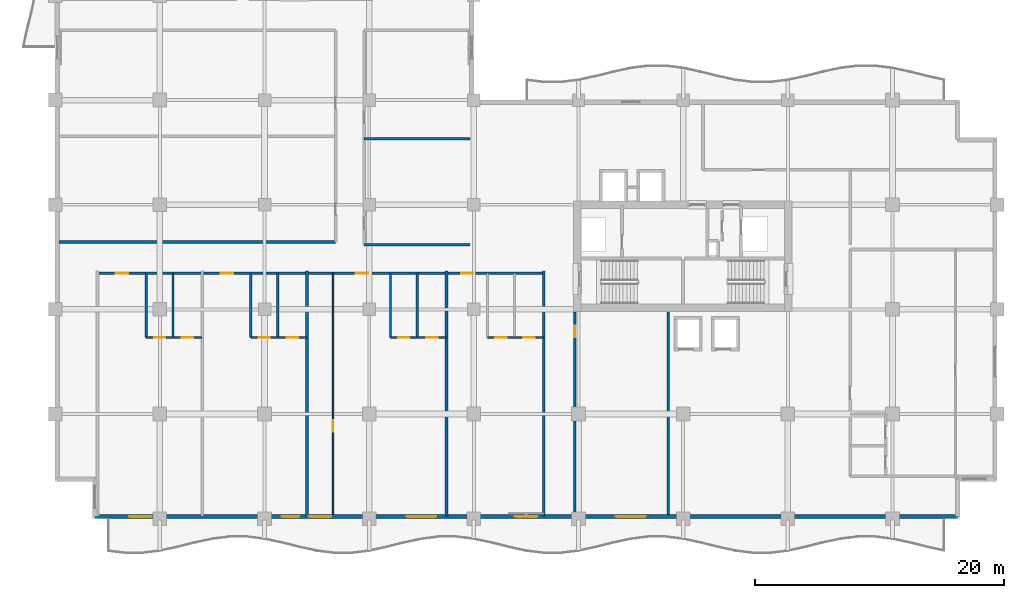
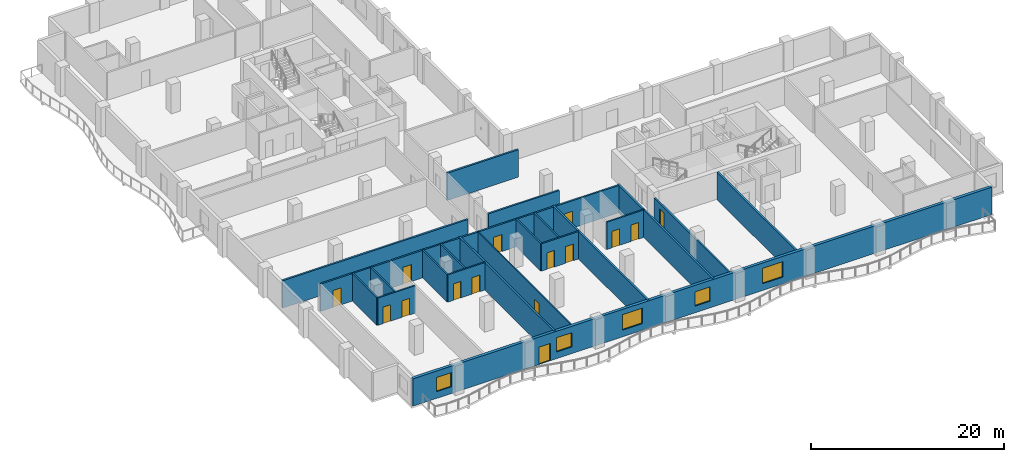
# One storey, part 4 of 14: 21 walls, 15 doors, 5 windows, 20 openings.
"""IFC4 building model written with IfcOpenShell, lengths in metres."""

from ifc_helpers import new_model, si_unit, direction, frame, frame_2d, origin, place, context, subcontext, project, spatial, rectangle, extrude, material, layer, layer_set, type_object, element, fill, save


model = new_model("IFC4")

# Units and contexts
model_context = context("Model", 3, precision=1e-05, world=origin(), true_north=direction((0.0, 1.0)))
body_context = subcontext(model_context, "Body", "Model", "MODEL_VIEW")
ifc_project = project(units=[si_unit("LENGTHUNIT", "METRE"), si_unit("AREAUNIT", "SQUARE_METRE"), si_unit("VOLUMEUNIT", "CUBIC_METRE"), si_unit("PLANEANGLEUNIT", "RADIAN"), si_unit("MASSUNIT", "GRAM", prefix="KILO")], contexts=[model_context])

# Site, building, storey
site_placement = place(None, origin())
site = spatial("IfcSite", under=ifc_project, at=site_placement, CompositionType="ELEMENT")
building_placement = place(site_placement, origin())
building = spatial("IfcBuilding", under=site, at=building_placement, Name="Koriwani Terraces Tower", CompositionType="ELEMENT")
storey_placement = place(building_placement, frame((0.0, 0.0, 208.699951171875)))
storey = spatial("IfcBuildingStorey", under=building, at=storey_placement, Name="L51", CompositionType="ELEMENT", Elevation=208.699951171875)

# Wall, opening, door
ifc_material_1 = material(Name="Autoclaved Cellular Concrete Blockwork", Category="masonry")
ifc_layer_1 = layer(ifc_material_1, 0.199951171875, Name="Autoclaved Cellular Concrete Blockwork")
ifc_layer_set_1 = layer_set([ifc_layer_1], Name="Autoclaved Cellular Concrete Blockwork")
wall_type_1 = type_object("IfcWallType", Name="WALL_CORRIDOR_200", PredefinedType="PARTITIONING", material=ifc_layer_set_1)
wall_1_placement = place(storey_placement, frame((41.699951171875, 0.35009765625, 0.0), z_axis=(0.0, 0.0, 1.0), x_axis=(0.0, 1.0, 0.0)))
wall_1 = element("IfcWall", 1, at=wall_1_placement, inside=storey, type_object=wall_type_1, Name="L51 Interior Wall WREC-EW-L51", PredefinedType="PARTITIONING", context=body_context, shape_type="SweptSolid", body=[
    extrude(rectangle(XDim=16.25, YDim=0.199951171875, at=frame_2d((8.125, 0.0))), origin(), (0.0, 0.0, 1.0), 2.820068359375),
])
opening_1_placement = place(wall_1_placement, frame((14.199951171875, 0.0, 0.0)))
opening_1 = element("IfcOpeningElement", 2, at=opening_1_placement, cuts=wall_1, Name="Opening D-06", PredefinedType="OPENING", context=body_context, shape_type="SweptSolid", body=[
    extrude(rectangle(XDim=0.919921875, YDim=2.10009765625, at=frame_2d((0.4599609375, 1.050048828125))), frame((0.0, 0.10986328125, 0.0), z_axis=(0.0, -1.0, 0.0), x_axis=(1.0, 0.0, 0.0)), (0.0, 0.0, 1.0), 0.219970703125),
])
ifc_material_2 = material(Name="Architectural Oak Fire Door", Category="wood")
door_type_1 = type_object("IfcDoorType", Name="DOOR_ROOM_INT_920X2100", OperationType="NOTDEFINED", PredefinedType="DOOR", material=ifc_material_2)
door_1_placement = place(opening_1_placement, origin())
door_1 = element("IfcDoor", 3, at=door_1_placement, inside=storey, type_object=door_type_1, Name="L51 Resident Co-Working Study Door", OperationType="SINGLE_SWING_RIGHT", OverallHeight=2.10009765625, OverallWidth=0.919921875, PredefinedType="DOOR", context=body_context, shape_type="SweptSolid", body=[
    extrude(rectangle(XDim=0.919921875, YDim=2.10009765625, at=frame_2d((0.4599609375, 1.050048828125))), frame((0.0, 0.02490234375, 0.0), z_axis=(0.0, -1.0, 0.0), x_axis=(1.0, 0.0, 0.0)), (0.0, 0.0, 1.0), 0.050048828125),
])
fill(opening_1, door_1)

# Wall
wall_2_placement = place(storey_placement, frame((24.800048828125, 22.0, 0.0), z_axis=(0.0, 0.0, 1.0), x_axis=(1.0, 0.0, 0.0)))
element("IfcWall", 4, at=wall_2_placement, inside=storey, type_object=wall_type_1, Name="L51 Interior Wall WIC2-S-L51", PredefinedType="PARTITIONING", context=body_context, shape_type="SweptSolid", body=[
    extrude(rectangle(XDim=8.5, YDim=0.199951171875, at=frame_2d((4.25, 0.0))), origin(), (0.0, 0.0, 1.0), 3.469970703125),
])

# Wall, openings, doors
wall_3_placement = place(storey_placement, frame((3.39990234375, 19.699951171875, 0.0), z_axis=(0.0, 0.0, 1.0), x_axis=(1.0, 0.0, 0.0)))
wall_3 = element("IfcWall", 5, at=wall_3_placement, inside=storey, type_object=wall_type_1, Name="L51 Interior Wall WRCOR-L51-SW-0", PredefinedType="PARTITIONING", context=body_context, shape_type="SweptSolid", body=[
    extrude(rectangle(XDim=35.800048828125, YDim=0.199951171875, at=frame_2d((17.89990234375, 0.0))), origin(), (0.0, 0.0, 1.0), 3.469970703125),
])
opening_2_placement = place(wall_3_placement, frame((1.469970703125, 0.0, 0.0)))
opening_2 = element("IfcOpeningElement", 6, at=opening_2_placement, cuts=wall_3, Name="Opening D-05", PredefinedType="OPENING", context=body_context, shape_type="SweptSolid", body=[
    extrude(rectangle(XDim=1.0, YDim=2.14990234375, at=frame_2d((0.5, 1.074951171875))), frame((0.0, 0.10986328125, 0.0), z_axis=(0.0, -1.0, 0.0), x_axis=(1.0, 0.0, 0.0)), (0.0, 0.0, 1.0), 0.219970703125),
])
opening_3_placement = place(wall_3_placement, frame((9.8701171875, 0.0, 0.0)))
opening_3 = element("IfcOpeningElement", 7, at=opening_3_placement, cuts=wall_3, Name="Opening D-05", PredefinedType="OPENING", context=body_context, shape_type="SweptSolid", body=[
    extrude(rectangle(XDim=1.0, YDim=2.14990234375, at=frame_2d((0.5, 1.074951171875))), frame((0.0, 0.10986328125, 0.0), z_axis=(0.0, -1.0, 0.0), x_axis=(1.0, 0.0, 0.0)), (0.0, 0.0, 1.0), 0.219970703125),
])
opening_4_placement = place(wall_3_placement, frame((20.719970703125, 0.0, 0.0)))
opening_4 = element("IfcOpeningElement", 8, at=opening_4_placement, cuts=wall_3, Name="Opening D-05", PredefinedType="OPENING", context=body_context, shape_type="SweptSolid", body=[
    extrude(rectangle(XDim=1.0, YDim=2.14990234375, at=frame_2d((0.5, 1.074951171875))), frame((0.0, 0.10986328125, 0.0), z_axis=(0.0, -1.0, 0.0), x_axis=(1.0, 0.0, 0.0)), (0.0, 0.0, 1.0), 0.219970703125),
])
opening_5_placement = place(wall_3_placement, frame((29.169921875, 0.0, 0.0)))
opening_5 = element("IfcOpeningElement", 9, at=opening_5_placement, cuts=wall_3, Name="Opening D-05", PredefinedType="OPENING", context=body_context, shape_type="SweptSolid", body=[
    extrude(rectangle(XDim=1.0, YDim=2.14990234375, at=frame_2d((0.5, 1.074951171875))), frame((0.0, 0.10986328125, 0.0), z_axis=(0.0, -1.0, 0.0), x_axis=(1.0, 0.0, 0.0)), (0.0, 0.0, 1.0), 0.219970703125),
])
door_type_2 = type_object("IfcDoorType", Name="DOOR_SUITE_ENTRY_1000X2150", OperationType="NOTDEFINED", PredefinedType="DOOR", material=ifc_material_2)
door_2_placement = place(opening_2_placement, origin())
door_2 = element("IfcDoor", 10, at=door_2_placement, inside=storey, type_object=door_type_2, Name="Apartment 51SW1 Entrance Door", OperationType="SINGLE_SWING_LEFT", OverallHeight=2.14990234375, OverallWidth=1.0, PredefinedType="DOOR", context=body_context, shape_type="SweptSolid", body=[
    extrude(rectangle(XDim=1.0, YDim=2.14990234375, at=frame_2d((0.5, 1.074951171875))), frame((0.0, 0.02490234375, 0.0), z_axis=(0.0, -1.0, 0.0), x_axis=(1.0, 0.0, 0.0)), (0.0, 0.0, 1.0), 0.050048828125),
])
fill(opening_2, door_2)
door_3_placement = place(opening_3_placement, origin())
door_3 = element("IfcDoor", 11, at=door_3_placement, inside=storey, type_object=door_type_2, Name="Apartment 51SW2 Entrance Door", OperationType="SINGLE_SWING_RIGHT", OverallHeight=2.14990234375, OverallWidth=1.0, PredefinedType="DOOR", context=body_context, shape_type="SweptSolid", body=[
    extrude(rectangle(XDim=1.0, YDim=2.14990234375, at=frame_2d((0.5, 1.074951171875))), frame((0.0, 0.02490234375, 0.0), z_axis=(0.0, -1.0, 0.0), x_axis=(1.0, 0.0, 0.0)), (0.0, 0.0, 1.0), 0.050048828125),
])
fill(opening_3, door_3)
door_4_placement = place(opening_4_placement, origin())
door_4 = element("IfcDoor", 12, at=door_4_placement, inside=storey, type_object=door_type_2, Name="Apartment 51SW3 Entrance Door", OperationType="SINGLE_SWING_LEFT", OverallHeight=2.14990234375, OverallWidth=1.0, PredefinedType="DOOR", context=body_context, shape_type="SweptSolid", body=[
    extrude(rectangle(XDim=1.0, YDim=2.14990234375, at=frame_2d((0.5, 1.074951171875))), frame((0.0, 0.02490234375, 0.0), z_axis=(0.0, -1.0, 0.0), x_axis=(1.0, 0.0, 0.0)), (0.0, 0.0, 1.0), 0.050048828125),
])
fill(opening_4, door_4)
door_5_placement = place(opening_5_placement, origin())
door_5 = element("IfcDoor", 13, at=door_5_placement, inside=storey, type_object=door_type_2, Name="Apartment 51SW4 Entrance Door", OperationType="SINGLE_SWING_LEFT", OverallHeight=2.14990234375, OverallWidth=1.0, PredefinedType="DOOR", context=body_context, shape_type="SweptSolid", body=[
    extrude(rectangle(XDim=1.0, YDim=2.14990234375, at=frame_2d((0.5, 1.074951171875))), frame((0.0, 0.02490234375, 0.0), z_axis=(0.0, -1.0, 0.0), x_axis=(1.0, 0.0, 0.0)), (0.0, 0.0, 1.0), 0.050048828125),
])
fill(opening_5, door_5)

# Walls
ifc_layer_2 = layer(ifc_material_1, 0.219970703125, Name="Autoclaved Cellular Concrete Blockwork")
ifc_layer_set_2 = layer_set([ifc_layer_2], Name="Autoclaved Cellular Concrete Blockwork")
wall_type_2 = type_object("IfcWallType", Name="WALL_DEMISING_220", PredefinedType="PARTITIONING", material=ifc_layer_set_2)
wall_4_placement = place(storey_placement, frame((49.199951171875, 0.35009765625, 0.0), z_axis=(0.0, 0.0, 1.0), x_axis=(0.0, 1.0, 0.0)))
element("IfcWall", 14, at=wall_4_placement, inside=storey, type_object=wall_type_2, Name="L51 Interior Wall WREC-EE-L51", PredefinedType="PARTITIONING", context=body_context, shape_type="SweptSolid", body=[
    extrude(rectangle(XDim=16.25, YDim=0.219970703125, at=frame_2d((8.125, 0.0))), origin(), (0.0, 0.0, 1.0), 3.469970703125),
])
wall_5_placement = place(storey_placement, frame((24.800048828125, 30.5, 0.0), z_axis=(0.0, 0.0, 1.0), x_axis=(1.0, 0.0, 0.0)))
element("IfcWall", 15, at=wall_5_placement, inside=storey, type_object=wall_type_2, Name="L51 Interior Wall WIC2-M-L51", PredefinedType="PARTITIONING", context=body_context, shape_type="SweptSolid", body=[
    extrude(rectangle(XDim=8.5, YDim=0.219970703125, at=frame_2d((4.25, 0.0))), origin(), (0.0, 0.0, 1.0), 3.469970703125),
])
for number, where, z_axis, x_axis, name in (
    (16, (20.199951171875, 0.199951171875, 0.0), (0.0, 0.0, 1.0), (0.0, 1.0, 0.0), "L51 Interior Wall WRDEM-L51-SW-2"),
    (17, (31.39990234375, 0.199951171875, 0.0), (0.0, 0.0, 1.0), (0.0, 1.0, 0.0), "L51 Interior Wall WRDEM-L51-SW-3"),
    (18, (39.199951171875, 0.199951171875, 0.0), (0.0, 0.0, 1.0), (0.0, 1.0, 0.0), "L51 Interior Wall WRDEME-L51-SW"),
):
    element("IfcWall", number, at=place(storey_placement, frame(where, z_axis=z_axis, x_axis=x_axis)), inside=storey, type_object=wall_type_2, Name=name, PredefinedType="PARTITIONING", context=body_context, shape_type="SweptSolid", body=[
        extrude(rectangle(XDim=19.679931640625, YDim=0.219970703125, at=frame_2d((9.83984375, 0.0))), origin(), (0.0, 0.0, 1.0), 3.469970703125),
    ])
wall_6_placement = place(storey_placement, frame((0.300048828125, 22.199951171875, 0.0), z_axis=(0.0, 0.0, 1.0), x_axis=(1.0, 0.0, 0.0)))
element("IfcWall", 19, at=wall_6_placement, inside=storey, type_object=wall_type_2, Name="L51 Interior Wall WNW3S-L51", PredefinedType="PARTITIONING", context=body_context, shape_type="SweptSolid", body=[
    extrude(rectangle(XDim=22.199951171875, YDim=0.219970703125, at=frame_2d((11.10009765625, 0.0))), origin(), (0.0, 0.0, 1.0), 3.469970703125),
])

# Wall, openings, door, windows
ifc_material_3 = material(Name="Concrete C50/60", Category="concrete")
ifc_layer_3 = layer(ifc_material_3, 0.35009765625, Name="Concrete C50/60")
ifc_layer_set_3 = layer_set([ifc_layer_3], Name="Concrete C50/60")
wall_type_3 = type_object("IfcWallType", Name="WALL_EXT_BRUTALIST_350", PredefinedType="STANDARD", material=ifc_layer_set_3)
wall_7_placement = place(storey_placement, frame((72.425048828125, 0.175048828125, 0.0), z_axis=(0.0, 0.0, 1.0), x_axis=(-1.0, 0.0, 0.0)))
wall_7 = element("IfcWall", 20, at=wall_7_placement, inside=storey, type_object=wall_type_3, Name="L51 Fair-Faced Brutalist Exterior Wall (S)", PredefinedType="STANDARD", context=body_context, shape_type="SweptSolid", body=[
    extrude(rectangle(XDim=69.25, YDim=0.35009765625, at=frame_2d((34.625, 0.0))), origin(), (0.0, 0.0, 1.0), 3.469970703125),
])
opening_6_placement = place(wall_7_placement, frame((52.824951171875, 0.0, 0.0)))
opening_6 = element("IfcOpeningElement", 21, at=opening_6_placement, cuts=wall_7, Name="Opening D-09", PredefinedType="OPENING", context=body_context, shape_type="SweptSolid", body=[
    extrude(rectangle(XDim=1.39990234375, YDim=2.199951171875, at=frame_2d((0.699951171875, 1.10009765625))), frame((0.0, 0.18505859375, 0.0), z_axis=(0.0, -1.0, 0.0), x_axis=(1.0, 0.0, 0.0)), (0.0, 0.0, 1.0), 0.3701171875),
])
opening_7_placement = place(wall_7_placement, frame((41.824951171875, 0.0, 0.85009765625)))
opening_7 = element("IfcOpeningElement", 22, at=opening_7_placement, cuts=wall_7, Name="Opening W-03", PredefinedType="OPENING", context=body_context, shape_type="SweptSolid", body=[
    extrude(rectangle(XDim=2.39990234375, YDim=1.949951171875, at=frame_2d((1.199951171875, 0.97509765625))), frame((0.0, 0.18505859375, 0.0), z_axis=(0.0, -1.0, 0.0), x_axis=(1.0, 0.0, 0.0)), (0.0, 0.0, 1.0), 0.3701171875),
])
opening_8_placement = place(wall_7_placement, frame((33.72509765625, 0.0, 0.85009765625)))
opening_8 = element("IfcOpeningElement", 23, at=opening_8_placement, cuts=wall_7, Name="Opening W-04", PredefinedType="OPENING", context=body_context, shape_type="SweptSolid", body=[
    extrude(rectangle(XDim=1.800048828125, YDim=1.800048828125, at=frame_2d((0.89990234375, 0.89990234375))), frame((0.0, 0.18505859375, 0.0), z_axis=(0.0, -1.0, 0.0), x_axis=(1.0, 0.0, 0.0)), (0.0, 0.0, 1.0), 0.3701171875),
])
opening_9_placement = place(wall_7_placement, frame((25.02490234375, 0.0, 0.85009765625)))
opening_9 = element("IfcOpeningElement", 24, at=opening_9_placement, cuts=wall_7, Name="Opening W-03", PredefinedType="OPENING", context=body_context, shape_type="SweptSolid", body=[
    extrude(rectangle(XDim=2.39990234375, YDim=1.949951171875, at=frame_2d((1.199951171875, 0.97509765625))), frame((0.0, 0.18505859375, 0.0), z_axis=(0.0, -1.0, 0.0), x_axis=(1.0, 0.0, 0.0)), (0.0, 0.0, 1.0), 0.3701171875),
])
opening_10_placement = place(wall_7_placement, frame((64.675048828125, 0.0, 0.85009765625)))
opening_10 = element("IfcOpeningElement", 25, at=opening_10_placement, cuts=wall_7, Name="Opening W-04", PredefinedType="OPENING", context=body_context, shape_type="SweptSolid", body=[
    extrude(rectangle(XDim=1.800048828125, YDim=1.800048828125, at=frame_2d((0.89990234375, 0.89990234375))), frame((0.0, 0.18505859375, 0.0), z_axis=(0.0, -1.0, 0.0), x_axis=(1.0, 0.0, 0.0)), (0.0, 0.0, 1.0), 0.3701171875),
])
opening_11_placement = place(wall_7_placement, frame((50.27490234375, 0.0, 0.85009765625)))
opening_11 = element("IfcOpeningElement", 26, at=opening_11_placement, cuts=wall_7, Name="Opening W-04", PredefinedType="OPENING", context=body_context, shape_type="SweptSolid", body=[
    extrude(rectangle(XDim=1.800048828125, YDim=1.800048828125, at=frame_2d((0.89990234375, 0.89990234375))), frame((0.0, 0.18505859375, 0.0), z_axis=(0.0, -1.0, 0.0), x_axis=(1.0, 0.0, 0.0)), (0.0, 0.0, 1.0), 0.3701171875),
])
ifc_material_4 = material(Name="Anodised Bronze Aluminium", Category="aluminium")
door_type_3 = type_object("IfcDoorType", Name="DOOR_BALCONY_GLAZED_1400X2200", OperationType="NOTDEFINED", PredefinedType="DOOR", material=ifc_material_4)
door_6_placement = place(opening_6_placement, origin())
door_6 = element("IfcDoor", 27, at=door_6_placement, inside=storey, type_object=door_type_3, Name="L51 South Balcony Glazed Door", OperationType="SINGLE_SWING_LEFT", OverallHeight=2.199951171875, OverallWidth=1.39990234375, PredefinedType="DOOR", context=body_context, shape_type="SweptSolid", body=[
    extrude(rectangle(XDim=1.39990234375, YDim=2.199951171875, at=frame_2d((0.699951171875, 1.10009765625))), frame((0.0, 0.02490234375, 0.0), z_axis=(0.0, -1.0, 0.0), x_axis=(1.0, 0.0, 0.0)), (0.0, 0.0, 1.0), 0.050048828125),
])
fill(opening_6, door_6)
ifc_material_5 = material(Name="Tempered Laminated Low-E Glass", Category="glass")
window_type_1 = type_object("IfcWindowType", Name="WIN_RES_BED_1800X1800", PartitioningType="DOUBLE_PANEL_VERTICAL", PredefinedType="WINDOW", material=ifc_material_5)
window_1_placement = place(opening_8_placement, origin())
window_1 = element("IfcWindow", 28, at=window_1_placement, inside=storey, type_object=window_type_1, Name="L51 Exterior Window (S-12)", OverallHeight=1.800048828125, OverallWidth=1.800048828125, PartitioningType="SINGLE_PANEL", PredefinedType="WINDOW", context=body_context, shape_type="SweptSolid", body=[
    extrude(rectangle(XDim=1.800048828125, YDim=1.800048828125, at=frame_2d((0.89990234375, 0.89990234375))), frame((0.0, 0.030029296875, 0.0), z_axis=(0.0, -1.0, 0.0), x_axis=(1.0, 0.0, 0.0)), (0.0, 0.0, 1.0), 0.06005859375),
])
fill(opening_8, window_1)
window_2_placement = place(opening_10_placement, origin())
window_2 = element("IfcWindow", 29, at=window_2_placement, inside=storey, type_object=window_type_1, Name="L51 Exterior Window (S-R33)", OverallHeight=1.800048828125, OverallWidth=1.800048828125, PartitioningType="SINGLE_PANEL", PredefinedType="WINDOW", context=body_context, shape_type="SweptSolid", body=[
    extrude(rectangle(XDim=1.800048828125, YDim=1.800048828125, at=frame_2d((0.89990234375, 0.89990234375))), frame((0.0, 0.030029296875, 0.0), z_axis=(0.0, -1.0, 0.0), x_axis=(1.0, 0.0, 0.0)), (0.0, 0.0, 1.0), 0.06005859375),
])
fill(opening_10, window_2)
window_3_placement = place(opening_11_placement, origin())
window_3 = element("IfcWindow", 30, at=window_3_placement, inside=storey, type_object=window_type_1, Name="L51 Exterior Window (S-R39)", OverallHeight=1.800048828125, OverallWidth=1.800048828125, PartitioningType="SINGLE_PANEL", PredefinedType="WINDOW", context=body_context, shape_type="SweptSolid", body=[
    extrude(rectangle(XDim=1.800048828125, YDim=1.800048828125, at=frame_2d((0.89990234375, 0.89990234375))), frame((0.0, 0.030029296875, 0.0), z_axis=(0.0, -1.0, 0.0), x_axis=(1.0, 0.0, 0.0)), (0.0, 0.0, 1.0), 0.06005859375),
])
fill(opening_11, window_3)
window_type_2 = type_object("IfcWindowType", Name="WIN_RES_LIVING_2400X1950", PartitioningType="DOUBLE_PANEL_VERTICAL", PredefinedType="WINDOW", material=ifc_material_5)
window_4_placement = place(opening_7_placement, origin())
window_4 = element("IfcWindow", 31, at=window_4_placement, inside=storey, type_object=window_type_2, Name="L51 Exterior Window (S-9)", OverallHeight=1.949951171875, OverallWidth=2.39990234375, PartitioningType="SINGLE_PANEL", PredefinedType="WINDOW", context=body_context, shape_type="SweptSolid", body=[
    extrude(rectangle(XDim=2.39990234375, YDim=1.949951171875, at=frame_2d((1.199951171875, 0.97509765625))), frame((0.0, 0.030029296875, 0.0), z_axis=(0.0, -1.0, 0.0), x_axis=(1.0, 0.0, 0.0)), (0.0, 0.0, 1.0), 0.06005859375),
])
fill(opening_7, window_4)
window_5_placement = place(opening_9_placement, origin())
window_5 = element("IfcWindow", 32, at=window_5_placement, inside=storey, type_object=window_type_2, Name="L51 Exterior Window (S-15)", OverallHeight=1.949951171875, OverallWidth=2.39990234375, PartitioningType="SINGLE_PANEL", PredefinedType="WINDOW", context=body_context, shape_type="SweptSolid", body=[
    extrude(rectangle(XDim=2.39990234375, YDim=1.949951171875, at=frame_2d((1.199951171875, 0.97509765625))), frame((0.0, 0.030029296875, 0.0), z_axis=(0.0, -1.0, 0.0), x_axis=(1.0, 0.0, 0.0)), (0.0, 0.0, 1.0), 0.06005859375),
])
fill(opening_9, window_5)

# Wall, opening, door
ifc_material_6 = material(Name="Fire-Rated Acoustic Gypsum Partition", Category="masonry")
ifc_layer_4 = layer(ifc_material_6, 0.125, Name="Fire-Rated Acoustic Gypsum Partition")
ifc_layer_set_4 = layer_set([ifc_layer_4], Name="Fire-Rated Acoustic Gypsum Partition")
wall_type_4 = type_object("IfcWallType", Name="WALL_INT_125", PredefinedType="PARTITIONING", material=ifc_layer_set_4)
wall_8_placement = place(storey_placement, frame((22.300048828125, 0.35009765625, 0.0), z_axis=(0.0, 0.0, 1.0), x_axis=(0.0, 1.0, 0.0)))
wall_8 = element("IfcWall", 33, at=wall_8_placement, inside=storey, type_object=wall_type_4, Name="L51 Interior Wall WRBED1-L51-SW-2", PredefinedType="PARTITIONING", context=body_context, shape_type="SweptSolid", body=[
    extrude(rectangle(XDim=19.349853515625, YDim=0.125, at=frame_2d((9.6748046875, 0.0))), origin(), (0.0, 0.0, 1.0), 3.469970703125),
])
opening_12_placement = place(wall_8_placement, frame((6.639892578125, 0.0, 0.0)))
opening_12 = element("IfcOpeningElement", 34, at=opening_12_placement, cuts=wall_8, Name="Opening D-06", PredefinedType="OPENING", context=body_context, shape_type="SweptSolid", body=[
    extrude(rectangle(XDim=0.919921875, YDim=2.10009765625, at=frame_2d((0.4599609375, 1.050048828125))), frame((0.0, 0.072509765625, 0.0), z_axis=(0.0, -1.0, 0.0), x_axis=(1.0, 0.0, 0.0)), (0.0, 0.0, 1.0), 0.14501953125),
])
door_7_placement = place(opening_12_placement, origin())
door_7 = element("IfcDoor", 35, at=door_7_placement, inside=storey, type_object=door_type_1, Name="Apartment 51SW3 Master Bedroom Door", OperationType="SINGLE_SWING_RIGHT", OverallHeight=2.10009765625, OverallWidth=0.919921875, PredefinedType="DOOR", context=body_context, shape_type="SweptSolid", body=[
    extrude(rectangle(XDim=0.919921875, YDim=2.10009765625, at=frame_2d((0.4599609375, 1.050048828125))), frame((0.0, 0.02490234375, 0.0), z_axis=(0.0, -1.0, 0.0), x_axis=(1.0, 0.0, 0.0)), (0.0, 0.0, 1.0), 0.050048828125),
])
fill(opening_12, door_7)

# Wall, openings, doors
ifc_layer_5 = layer(ifc_material_6, 0.179931640625, Name="Fire-Rated Acoustic Gypsum Partition")
ifc_layer_set_5 = layer_set([ifc_layer_5], Name="Fire-Rated Acoustic Gypsum Partition")
wall_type_5 = type_object("IfcWallType", Name="WALL_PLUMBING_180", PredefinedType="PLUMBINGWALL", material=ifc_layer_set_5)
wall_9_placement = place(storey_placement, frame((7.300048828125, 14.550048828125, 0.0), z_axis=(0.0, 0.0, 1.0), x_axis=(1.0, 0.0, 0.0)))
wall_9 = element("IfcWall", 36, at=wall_9_placement, inside=storey, type_object=wall_type_5, Name="L51 Interior Wall WRSVC-L51-SW-0", PredefinedType="PLUMBINGWALL", context=body_context, shape_type="SweptSolid", body=[
    extrude(rectangle(XDim=4.5, YDim=0.179931640625, at=frame_2d((2.25, 0.0))), origin(), (0.0, 0.0, 1.0), 3.469970703125),
])
opening_13_placement = place(wall_9_placement, frame((0.6298828125, 0.0, 0.0)))
opening_13 = element("IfcOpeningElement", 37, at=opening_13_placement, cuts=wall_9, Name="Opening D-07", PredefinedType="OPENING", context=body_context, shape_type="SweptSolid", body=[
    extrude(rectangle(XDim=0.89990234375, YDim=2.10009765625, at=frame_2d((0.449951171875, 1.050048828125))), frame((0.0, 0.10009765625, 0.0), z_axis=(0.0, -1.0, 0.0), x_axis=(1.0, 0.0, 0.0)), (0.0, 0.0, 1.0), 0.199951171875),
])
opening_14_placement = place(wall_9_placement, frame((2.8701171875, 0.0, 0.0)))
opening_14 = element("IfcOpeningElement", 38, at=opening_14_placement, cuts=wall_9, Name="Opening D-06", PredefinedType="OPENING", context=body_context, shape_type="SweptSolid", body=[
    extrude(rectangle(XDim=0.919921875, YDim=2.10009765625, at=frame_2d((0.4599609375, 1.050048828125))), frame((0.0, 0.10009765625, 0.0), z_axis=(0.0, -1.0, 0.0), x_axis=(1.0, 0.0, 0.0)), (0.0, 0.0, 1.0), 0.199951171875),
])
door_type_4 = type_object("IfcDoorType", Name="DOOR_BATH_INT_900X2100", OperationType="NOTDEFINED", PredefinedType="DOOR", material=ifc_material_2)
door_8_placement = place(opening_13_placement, origin())
door_8 = element("IfcDoor", 39, at=door_8_placement, inside=storey, type_object=door_type_4, Name="Apartment 51SW1 Bathroom Door", OperationType="SINGLE_SWING_RIGHT", OverallHeight=2.10009765625, OverallWidth=0.89990234375, PredefinedType="DOOR", context=body_context, shape_type="SweptSolid", body=[
    extrude(rectangle(XDim=0.89990234375, YDim=2.10009765625, at=frame_2d((0.449951171875, 1.050048828125))), frame((0.0, 0.02490234375, 0.0), z_axis=(0.0, -1.0, 0.0), x_axis=(1.0, 0.0, 0.0)), (0.0, 0.0, 1.0), 0.050048828125),
])
fill(opening_13, door_8)
door_9_placement = place(opening_14_placement, origin())
door_9 = element("IfcDoor", 40, at=door_9_placement, inside=storey, type_object=door_type_1, Name="Apartment 51SW1 Kitchen Door", OperationType="SINGLE_SWING_LEFT", OverallHeight=2.10009765625, OverallWidth=0.919921875, PredefinedType="DOOR", context=body_context, shape_type="SweptSolid", body=[
    extrude(rectangle(XDim=0.919921875, YDim=2.10009765625, at=frame_2d((0.4599609375, 1.050048828125))), frame((0.0, 0.02490234375, 0.0), z_axis=(0.0, -1.0, 0.0), x_axis=(1.0, 0.0, 0.0)), (0.0, 0.0, 1.0), 0.050048828125),
])
fill(opening_14, door_9)

# Walls
for number, where, z_axis, x_axis, name in (
    (41, (7.300048828125, 14.550048828125, 0.0), (0.0, 0.0, 1.0), (0.0, 1.0, 0.0), "L51 Interior Wall WRSVCS-L51-SW-0"),
    (42, (9.4599609375, 14.550048828125, 0.0), (0.0, 0.0, 1.0), (0.0, 1.0, 0.0), "L51 Interior Wall WRSVCM-L51-SW-0"),
):
    element("IfcWall", number, at=place(storey_placement, frame(where, z_axis=z_axis, x_axis=x_axis)), inside=storey, type_object=wall_type_5, Name=name, PredefinedType="PLUMBINGWALL", context=body_context, shape_type="SweptSolid", body=[
        extrude(rectangle(XDim=5.14990234375, YDim=0.179931640625, at=frame_2d((2.574951171875, 0.0))), origin(), (0.0, 0.0, 1.0), 3.469970703125),
    ])

# Wall, openings, doors
wall_10_placement = place(storey_placement, frame((15.699951171875, 14.550048828125, 0.0), z_axis=(0.0, 0.0, 1.0), x_axis=(1.0, 0.0, 0.0)))
wall_10 = element("IfcWall", 43, at=wall_10_placement, inside=storey, type_object=wall_type_5, Name="L51 Interior Wall WRSVC-L51-SW-1", PredefinedType="PLUMBINGWALL", context=body_context, shape_type="SweptSolid", body=[
    extrude(rectangle(XDim=4.5, YDim=0.179931640625, at=frame_2d((2.25, 0.0))), origin(), (0.0, 0.0, 1.0), 3.469970703125),
])
opening_15_placement = place(wall_10_placement, frame((0.6298828125, 0.0, 0.0)))
opening_15 = element("IfcOpeningElement", 44, at=opening_15_placement, cuts=wall_10, Name="Opening D-07", PredefinedType="OPENING", context=body_context, shape_type="SweptSolid", body=[
    extrude(rectangle(XDim=0.89990234375, YDim=2.10009765625, at=frame_2d((0.449951171875, 1.050048828125))), frame((0.0, 0.10009765625, 0.0), z_axis=(0.0, -1.0, 0.0), x_axis=(1.0, 0.0, 0.0)), (0.0, 0.0, 1.0), 0.199951171875),
])
opening_16_placement = place(wall_10_placement, frame((2.8701171875, 0.0, 0.0)))
opening_16 = element("IfcOpeningElement", 45, at=opening_16_placement, cuts=wall_10, Name="Opening D-06", PredefinedType="OPENING", context=body_context, shape_type="SweptSolid", body=[
    extrude(rectangle(XDim=0.919921875, YDim=2.10009765625, at=frame_2d((0.4599609375, 1.050048828125))), frame((0.0, 0.10009765625, 0.0), z_axis=(0.0, -1.0, 0.0), x_axis=(1.0, 0.0, 0.0)), (0.0, 0.0, 1.0), 0.199951171875),
])
door_10_placement = place(opening_15_placement, origin())
door_10 = element("IfcDoor", 46, at=door_10_placement, inside=storey, type_object=door_type_4, Name="Apartment 51SW2 Bathroom Door", OperationType="SINGLE_SWING_LEFT", OverallHeight=2.10009765625, OverallWidth=0.89990234375, PredefinedType="DOOR", context=body_context, shape_type="SweptSolid", body=[
    extrude(rectangle(XDim=0.89990234375, YDim=2.10009765625, at=frame_2d((0.449951171875, 1.050048828125))), frame((0.0, 0.02490234375, 0.0), z_axis=(0.0, -1.0, 0.0), x_axis=(1.0, 0.0, 0.0)), (0.0, 0.0, 1.0), 0.050048828125),
])
fill(opening_15, door_10)
door_11_placement = place(opening_16_placement, origin())
door_11 = element("IfcDoor", 47, at=door_11_placement, inside=storey, type_object=door_type_1, Name="Apartment 51SW2 Kitchen Door", OperationType="SINGLE_SWING_RIGHT", OverallHeight=2.10009765625, OverallWidth=0.919921875, PredefinedType="DOOR", context=body_context, shape_type="SweptSolid", body=[
    extrude(rectangle(XDim=0.919921875, YDim=2.10009765625, at=frame_2d((0.4599609375, 1.050048828125))), frame((0.0, 0.02490234375, 0.0), z_axis=(0.0, -1.0, 0.0), x_axis=(1.0, 0.0, 0.0)), (0.0, 0.0, 1.0), 0.050048828125),
])
fill(opening_16, door_11)

# Walls
for number, where, z_axis, x_axis, name in (
    (48, (15.699951171875, 14.550048828125, 0.0), (0.0, 0.0, 1.0), (0.0, 1.0, 0.0), "L51 Interior Wall WRSVCS-L51-SW-1"),
    (49, (17.860107421875, 14.550048828125, 0.0), (0.0, 0.0, 1.0), (0.0, 1.0, 0.0), "L51 Interior Wall WRSVCM-L51-SW-1"),
):
    element("IfcWall", number, at=place(storey_placement, frame(where, z_axis=z_axis, x_axis=x_axis)), inside=storey, type_object=wall_type_5, Name=name, PredefinedType="PLUMBINGWALL", context=body_context, shape_type="SweptSolid", body=[
        extrude(rectangle(XDim=5.14990234375, YDim=0.179931640625, at=frame_2d((2.574951171875, 0.0))), origin(), (0.0, 0.0, 1.0), 3.469970703125),
    ])

# Wall, openings, doors
wall_11_placement = place(storey_placement, frame((26.89990234375, 14.550048828125, 0.0), z_axis=(0.0, 0.0, 1.0), x_axis=(1.0, 0.0, 0.0)))
wall_11 = element("IfcWall", 50, at=wall_11_placement, inside=storey, type_object=wall_type_5, Name="L51 Interior Wall WRSVC-L51-SW-2", PredefinedType="PLUMBINGWALL", context=body_context, shape_type="SweptSolid", body=[
    extrude(rectangle(XDim=4.5, YDim=0.179931640625, at=frame_2d((2.25, 0.0))), origin(), (0.0, 0.0, 1.0), 3.469970703125),
])
opening_17_placement = place(wall_11_placement, frame((0.6298828125, 0.0, 0.0)))
opening_17 = element("IfcOpeningElement", 51, at=opening_17_placement, cuts=wall_11, Name="Opening D-07", PredefinedType="OPENING", context=body_context, shape_type="SweptSolid", body=[
    extrude(rectangle(XDim=0.89990234375, YDim=2.10009765625, at=frame_2d((0.449951171875, 1.050048828125))), frame((0.0, 0.10009765625, 0.0), z_axis=(0.0, -1.0, 0.0), x_axis=(1.0, 0.0, 0.0)), (0.0, 0.0, 1.0), 0.199951171875),
])
opening_18_placement = place(wall_11_placement, frame((2.8701171875, 0.0, 0.0)))
opening_18 = element("IfcOpeningElement", 52, at=opening_18_placement, cuts=wall_11, Name="Opening D-06", PredefinedType="OPENING", context=body_context, shape_type="SweptSolid", body=[
    extrude(rectangle(XDim=0.919921875, YDim=2.10009765625, at=frame_2d((0.4599609375, 1.050048828125))), frame((0.0, 0.10009765625, 0.0), z_axis=(0.0, -1.0, 0.0), x_axis=(1.0, 0.0, 0.0)), (0.0, 0.0, 1.0), 0.199951171875),
])
door_12_placement = place(opening_17_placement, origin())
door_12 = element("IfcDoor", 53, at=door_12_placement, inside=storey, type_object=door_type_4, Name="Apartment 51SW3 Bathroom Door", OperationType="SINGLE_SWING_RIGHT", OverallHeight=2.10009765625, OverallWidth=0.89990234375, PredefinedType="DOOR", context=body_context, shape_type="SweptSolid", body=[
    extrude(rectangle(XDim=0.89990234375, YDim=2.10009765625, at=frame_2d((0.449951171875, 1.050048828125))), frame((0.0, 0.02490234375, 0.0), z_axis=(0.0, -1.0, 0.0), x_axis=(1.0, 0.0, 0.0)), (0.0, 0.0, 1.0), 0.050048828125),
])
fill(opening_17, door_12)
door_13_placement = place(opening_18_placement, origin())
door_13 = element("IfcDoor", 54, at=door_13_placement, inside=storey, type_object=door_type_1, Name="Apartment 51SW3 Kitchen Door", OperationType="SINGLE_SWING_LEFT", OverallHeight=2.10009765625, OverallWidth=0.919921875, PredefinedType="DOOR", context=body_context, shape_type="SweptSolid", body=[
    extrude(rectangle(XDim=0.919921875, YDim=2.10009765625, at=frame_2d((0.4599609375, 1.050048828125))), frame((0.0, 0.02490234375, 0.0), z_axis=(0.0, -1.0, 0.0), x_axis=(1.0, 0.0, 0.0)), (0.0, 0.0, 1.0), 0.050048828125),
])
fill(opening_18, door_13)

# Walls
for number, where, z_axis, x_axis, name in (
    (55, (26.89990234375, 14.550048828125, 0.0), (0.0, 0.0, 1.0), (0.0, 1.0, 0.0), "L51 Interior Wall WRSVCS-L51-SW-2"),
    (56, (29.06005859375, 14.550048828125, 0.0), (0.0, 0.0, 1.0), (0.0, 1.0, 0.0), "L51 Interior Wall WRSVCM-L51-SW-2"),
):
    element("IfcWall", number, at=place(storey_placement, frame(where, z_axis=z_axis, x_axis=x_axis)), inside=storey, type_object=wall_type_5, Name=name, PredefinedType="PLUMBINGWALL", context=body_context, shape_type="SweptSolid", body=[
        extrude(rectangle(XDim=5.14990234375, YDim=0.179931640625, at=frame_2d((2.574951171875, 0.0))), origin(), (0.0, 0.0, 1.0), 3.469970703125),
    ])

# Wall, openings, doors
wall_12_placement = place(storey_placement, frame((34.699951171875, 14.550048828125, 0.0), z_axis=(0.0, 0.0, 1.0), x_axis=(1.0, 0.0, 0.0)))
wall_12 = element("IfcWall", 57, at=wall_12_placement, inside=storey, type_object=wall_type_5, Name="L51 Interior Wall WRSVC-L51-SW-3", PredefinedType="PLUMBINGWALL", context=body_context, shape_type="SweptSolid", body=[
    extrude(rectangle(XDim=4.5, YDim=0.179931640625, at=frame_2d((2.25, 0.0))), origin(), (0.0, 0.0, 1.0), 3.469970703125),
])
opening_19_placement = place(wall_12_placement, frame((0.6298828125, 0.0, 0.0)))
opening_19 = element("IfcOpeningElement", 58, at=opening_19_placement, cuts=wall_12, Name="Opening D-07", PredefinedType="OPENING", context=body_context, shape_type="SweptSolid", body=[
    extrude(rectangle(XDim=0.89990234375, YDim=2.10009765625, at=frame_2d((0.449951171875, 1.050048828125))), frame((0.0, 0.10009765625, 0.0), z_axis=(0.0, -1.0, 0.0), x_axis=(1.0, 0.0, 0.0)), (0.0, 0.0, 1.0), 0.199951171875),
])
opening_20_placement = place(wall_12_placement, frame((2.8701171875, 0.0, 0.0)))
opening_20 = element("IfcOpeningElement", 59, at=opening_20_placement, cuts=wall_12, Name="Opening D-06", PredefinedType="OPENING", context=body_context, shape_type="SweptSolid", body=[
    extrude(rectangle(XDim=0.919921875, YDim=2.10009765625, at=frame_2d((0.4599609375, 1.050048828125))), frame((0.0, 0.10009765625, 0.0), z_axis=(0.0, -1.0, 0.0), x_axis=(1.0, 0.0, 0.0)), (0.0, 0.0, 1.0), 0.199951171875),
])
door_14_placement = place(opening_19_placement, origin())
door_14 = element("IfcDoor", 60, at=door_14_placement, inside=storey, type_object=door_type_4, Name="Apartment 51SW4 Bathroom Door", OperationType="SINGLE_SWING_RIGHT", OverallHeight=2.10009765625, OverallWidth=0.89990234375, PredefinedType="DOOR", context=body_context, shape_type="SweptSolid", body=[
    extrude(rectangle(XDim=0.89990234375, YDim=2.10009765625, at=frame_2d((0.449951171875, 1.050048828125))), frame((0.0, 0.02490234375, 0.0), z_axis=(0.0, -1.0, 0.0), x_axis=(1.0, 0.0, 0.0)), (0.0, 0.0, 1.0), 0.050048828125),
])
fill(opening_19, door_14)
door_15_placement = place(opening_20_placement, origin())
door_15 = element("IfcDoor", 61, at=door_15_placement, inside=storey, type_object=door_type_1, Name="Apartment 51SW4 Kitchen Door", OperationType="SINGLE_SWING_LEFT", OverallHeight=2.10009765625, OverallWidth=0.919921875, PredefinedType="DOOR", context=body_context, shape_type="SweptSolid", body=[
    extrude(rectangle(XDim=0.919921875, YDim=2.10009765625, at=frame_2d((0.4599609375, 1.050048828125))), frame((0.0, 0.02490234375, 0.0), z_axis=(0.0, -1.0, 0.0), x_axis=(1.0, 0.0, 0.0)), (0.0, 0.0, 1.0), 0.050048828125),
])
fill(opening_20, door_15)

save(model, "model.ifc")
